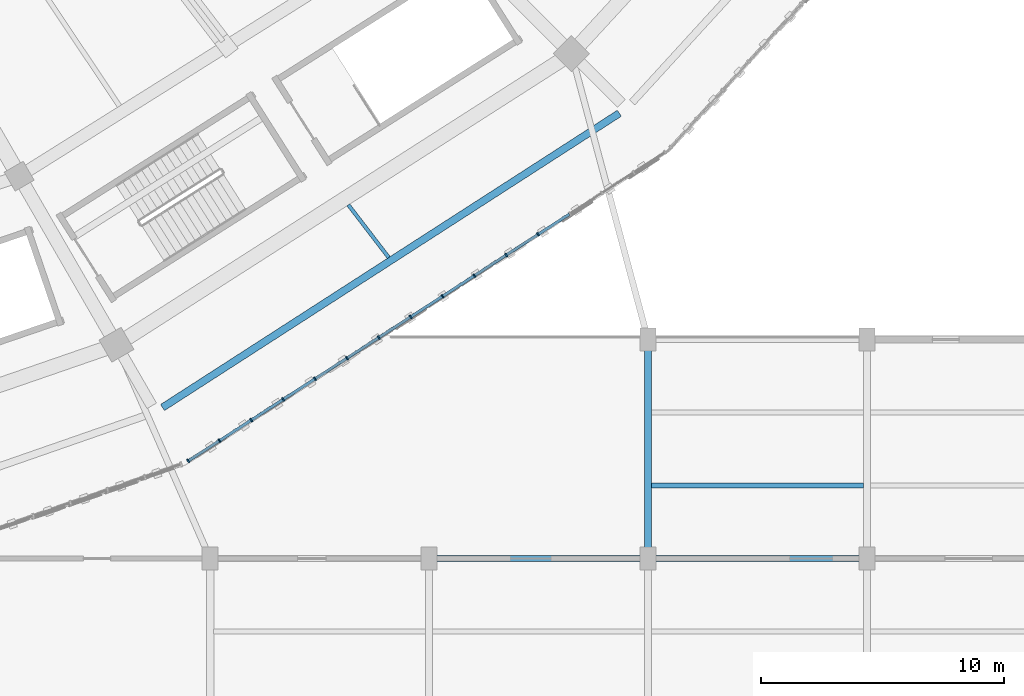
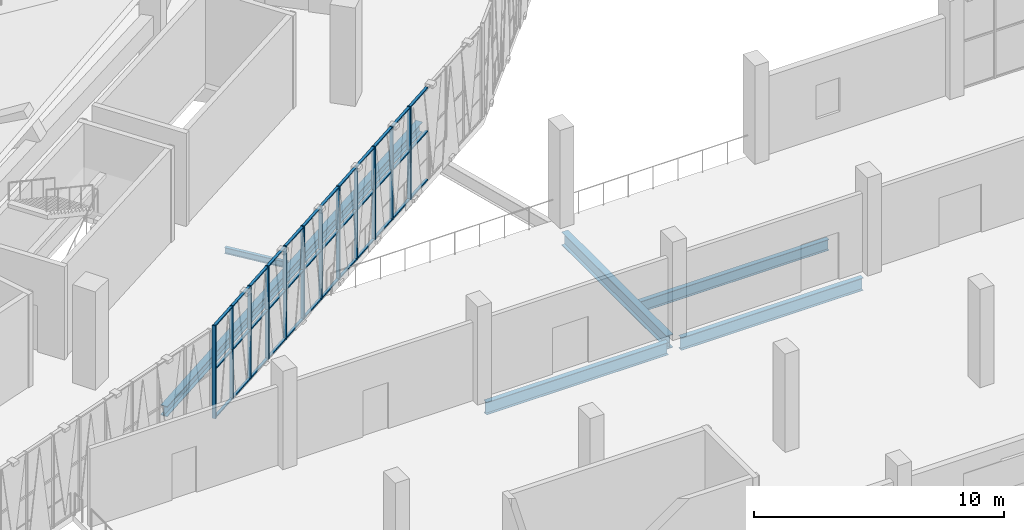
# One storey, part 28 of 152: 48 members, 6 beams, 1 element without a shape of its own.
"""IFC4 building model written with IfcOpenShell, lengths in metres."""

from ifc_helpers import new_model, si_unit, direction, frame, origin, origin_2d, place, context, subcontext, project, spatial, rectangle, i_section, extrude, material, material_profile, profile_set, type_object, element, aggregate, save


model = new_model("IFC4")

# Units and contexts
model_context = context("Model", 3, precision=1e-05, world=origin(), true_north=direction((0.0, 1.0)))
body_context = subcontext(model_context, "Body", "Model", "MODEL_VIEW")
ifc_project = project(units=[si_unit("LENGTHUNIT", "METRE"), si_unit("AREAUNIT", "SQUARE_METRE"), si_unit("VOLUMEUNIT", "CUBIC_METRE"), si_unit("PLANEANGLEUNIT", "RADIAN"), si_unit("MASSUNIT", "GRAM", prefix="KILO")], contexts=[model_context])

# Site, building, storey
site_placement = place(None, origin())
site = spatial("IfcSite", under=ifc_project, at=site_placement, CompositionType="ELEMENT")
building_placement = place(site_placement, origin())
building = spatial("IfcBuilding", under=site, at=building_placement, Name="Zevraka Park Crest Stadium", CompositionType="ELEMENT")
storey_placement = place(building_placement, frame((0.0, 0.0, 15.0)))
storey = spatial("IfcBuildingStorey", under=building, at=storey_placement, Name="L03", CompositionType="ELEMENT", Elevation=15.0)

# Beams
ifc_material_1 = material(Name="Steel S355", Category="steel")
ifc_material_profile_1 = material_profile(ifc_material_1, i_section(OverallWidth=0.300048828125, OverallDepth=0.64990234375, WebThickness=0.01611328125, FlangeThickness=0.031005859375, at=origin_2d()), Name="HEB 650")
ifc_profile_set_1 = profile_set([ifc_material_profile_1], Name="Steel S355")
beam_type_1 = type_object("IfcBeamType", Name="BG07", PredefinedType="BEAM", material=ifc_profile_set_1)
beam_1_placement = place(storey_placement, frame((179.0, 18.300048828125, -0.633056640625), z_axis=(0.0, 1.0, 0.0), x_axis=(-1.0, 0.0, 0.0)))
element("IfcBeam", 1, at=beam_1_placement, inside=storey, type_object=beam_type_1, Name="Wing Girder BG07 L03-20/CD", PredefinedType="BEAM", context=body_context, shape_type="SweptSolid", body=[
    extrude(i_section(OverallWidth=0.300048828125, OverallDepth=0.64990234375, WebThickness=0.01611328125, FlangeThickness=0.031005859375, at=origin_2d()), origin(), (0.0, 0.0, 1.0), 8.39990234375),
])
ifc_material_2 = material(Name="Steel S355", Category="steel")
ifc_material_profile_2 = material_profile(ifc_material_2, i_section(OverallWidth=0.22900390625, OverallDepth=0.612060546875, WebThickness=0.011962890625, FlangeThickness=0.01953125, at=origin_2d()), Name="UKB 610x229x125")
ifc_profile_set_2 = profile_set([ifc_material_profile_2], Name="Steel S355")
beam_type_2 = type_object("IfcBeamType", Name="BG09", PredefinedType="BEAM", material=ifc_profile_set_2)
for number, where, z_axis, x_axis, name in (
    (2, (170.300048828125, 18.0, -0.614013671875), (1.0, 0.0, 0.0), (0.0, 1.0, 0.0), "Wing Girder BG09 L03-1920/C"),
    (3, (179.300048828125, 18.0, -0.614013671875), (1.0, 0.0, 0.0), (0.0, 1.0, 0.0), "Wing Girder BG09 L03-2021/C"),
):
    element("IfcBeam", number, at=place(storey_placement, frame(where, z_axis=z_axis, x_axis=x_axis)), inside=storey, type_object=beam_type_2, Name=name, PredefinedType="BEAM", context=body_context, shape_type="SweptSolid", body=[
        extrude(i_section(OverallWidth=0.22900390625, OverallDepth=0.612060546875, WebThickness=0.011962890625, FlangeThickness=0.01953125, at=origin_2d()), origin(), (0.0, 0.0, 1.0), 8.39990234375),
    ])

# Curtain wall, members
ifc_material_3 = material(Name="Anodised architectural aluminium and laminated safety glass", Category="aluminium")
curtain_wall_type = type_object("IfcCurtainWallType", Name="CW13", PredefinedType="NOTDEFINED", material=ifc_material_3)
curtain_wall_placement = place(storey_placement, origin())
curtain_wall = element("IfcCurtainWall", 4, at=curtain_wall_placement, inside=storey, type_object=curtain_wall_type, Name="Unitised Ring Curtain Wall CW13 L03-20", PredefinedType="NOTDEFINED")
ifc_material_4 = material(Name="Anodised architectural aluminium", Category="aluminium")
ifc_material_profile_3 = material_profile(ifc_material_4, rectangle(XDim=0.159912109375, YDim=0.06005859375, at=origin_2d()), Name="ALU MULLION 160x60")
ifc_profile_set_3 = profile_set([ifc_material_profile_3], Name="Anodised architectural aluminium")
member_type_1 = type_object("IfcMemberType", Name="CM01", PredefinedType="MULLION", material=ifc_profile_set_3)
member_1_placement = place(storey_placement, frame((160.09912109375, 22.01123046875, 0.0), z_axis=(0.0, 0.0, 1.0), x_axis=(-0.543469160232, 0.839429134517, 0.0)))
member_1 = element("IfcMember", 5, at=member_1_placement, type_object=member_type_1, Name="CW13 mullion 1", PredefinedType="MULLION", context=body_context, shape_type="SweptSolid", body=[
    extrude(rectangle(XDim=0.159912109375, YDim=0.06005859375, at=origin_2d()), origin(), (0.0, 0.0, 1.0), 4.5400390625),
])
member_2_placement = place(storey_placement, frame((161.3837890625, 22.843017578125, 0.0), z_axis=(0.0, 0.0, 1.0), x_axis=(-0.543469160232, 0.839429134517, 0.0)))
member_2 = element("IfcMember", 6, at=member_2_placement, type_object=member_type_1, Name="CW13 mullion 2", PredefinedType="MULLION", context=body_context, shape_type="SweptSolid", body=[
    extrude(rectangle(XDim=0.159912109375, YDim=0.06005859375, at=origin_2d()), origin(), (0.0, 0.0, 1.0), 4.5400390625),
])
member_3_placement = place(storey_placement, frame((162.693603515625, 23.69091796875, 0.0), z_axis=(0.0, 0.0, 1.0), x_axis=(-0.543469160232, 0.839429134517, 0.0)))
member_3 = element("IfcMember", 7, at=member_3_placement, type_object=member_type_1, Name="CW13 mullion 3", PredefinedType="MULLION", context=body_context, shape_type="SweptSolid", body=[
    extrude(rectangle(XDim=0.159912109375, YDim=0.06005859375, at=origin_2d()), origin(), (0.0, 0.0, 1.0), 4.5400390625),
])
member_4_placement = place(storey_placement, frame((164.00341796875, 24.5390625, 0.0), z_axis=(0.0, 0.0, 1.0), x_axis=(-0.543469160232, 0.839429134517, 0.0)))
member_4 = element("IfcMember", 8, at=member_4_placement, type_object=member_type_1, Name="CW13 mullion 4", PredefinedType="MULLION", context=body_context, shape_type="SweptSolid", body=[
    extrude(rectangle(XDim=0.159912109375, YDim=0.06005859375, at=origin_2d()), origin(), (0.0, 0.0, 1.0), 4.5400390625),
])
member_5_placement = place(storey_placement, frame((165.313232421875, 25.386962890625, 0.0), z_axis=(0.0, 0.0, 1.0), x_axis=(-0.543469160232, 0.839429134517, 0.0)))
member_5 = element("IfcMember", 9, at=member_5_placement, type_object=member_type_1, Name="CW13 mullion 5", PredefinedType="MULLION", context=body_context, shape_type="SweptSolid", body=[
    extrude(rectangle(XDim=0.159912109375, YDim=0.06005859375, at=origin_2d()), origin(), (0.0, 0.0, 1.0), 4.5400390625),
])
member_6_placement = place(storey_placement, frame((166.623046875, 26.235107421875, 0.0), z_axis=(0.0, 0.0, 1.0), x_axis=(-0.543469160232, 0.839429134517, 0.0)))
member_6 = element("IfcMember", 10, at=member_6_placement, type_object=member_type_1, Name="CW13 mullion 6", PredefinedType="MULLION", context=body_context, shape_type="SweptSolid", body=[
    extrude(rectangle(XDim=0.159912109375, YDim=0.06005859375, at=origin_2d()), origin(), (0.0, 0.0, 1.0), 4.5400390625),
])
member_7_placement = place(storey_placement, frame((167.932861328125, 27.0830078125, 0.0), z_axis=(0.0, 0.0, 1.0), x_axis=(-0.543469160232, 0.839429134517, 0.0)))
member_7 = element("IfcMember", 11, at=member_7_placement, type_object=member_type_1, Name="CW13 mullion 7", PredefinedType="MULLION", context=body_context, shape_type="SweptSolid", body=[
    extrude(rectangle(XDim=0.159912109375, YDim=0.06005859375, at=origin_2d()), origin(), (0.0, 0.0, 1.0), 4.5400390625),
])
member_8_placement = place(storey_placement, frame((169.24267578125, 27.930908203125, 0.0), z_axis=(0.0, 0.0, 1.0), x_axis=(-0.543469160232, 0.839429134517, 0.0)))
member_8 = element("IfcMember", 12, at=member_8_placement, type_object=member_type_1, Name="CW13 mullion 8", PredefinedType="MULLION", context=body_context, shape_type="SweptSolid", body=[
    extrude(rectangle(XDim=0.159912109375, YDim=0.06005859375, at=origin_2d()), origin(), (0.0, 0.0, 1.0), 4.5400390625),
])
member_9_placement = place(storey_placement, frame((170.552490234375, 28.779052734375, 0.0), z_axis=(0.0, 0.0, 1.0), x_axis=(-0.543469160232, 0.839429134517, 0.0)))
member_9 = element("IfcMember", 13, at=member_9_placement, type_object=member_type_1, Name="CW13 mullion 9", PredefinedType="MULLION", context=body_context, shape_type="SweptSolid", body=[
    extrude(rectangle(XDim=0.159912109375, YDim=0.06005859375, at=origin_2d()), origin(), (0.0, 0.0, 1.0), 4.5400390625),
])
member_10_placement = place(storey_placement, frame((171.8623046875, 29.626953125, 0.0), z_axis=(0.0, 0.0, 1.0), x_axis=(-0.543469160232, 0.839429134517, 0.0)))
member_10 = element("IfcMember", 14, at=member_10_placement, type_object=member_type_1, Name="CW13 mullion 10", PredefinedType="MULLION", context=body_context, shape_type="SweptSolid", body=[
    extrude(rectangle(XDim=0.159912109375, YDim=0.06005859375, at=origin_2d()), origin(), (0.0, 0.0, 1.0), 4.5400390625),
])
member_11_placement = place(storey_placement, frame((173.172119140625, 30.47509765625, 0.0), z_axis=(0.0, 0.0, 1.0), x_axis=(-0.543469160232, 0.839429134517, 0.0)))
member_11 = element("IfcMember", 15, at=member_11_placement, type_object=member_type_1, Name="CW13 mullion 11", PredefinedType="MULLION", context=body_context, shape_type="SweptSolid", body=[
    extrude(rectangle(XDim=0.159912109375, YDim=0.06005859375, at=origin_2d()), origin(), (0.0, 0.0, 1.0), 4.5400390625),
])
member_12_placement = place(storey_placement, frame((174.481689453125, 31.322998046875, 0.0), z_axis=(0.0, 0.0, 1.0), x_axis=(-0.543469160232, 0.839429134517, 0.0)))
member_12 = element("IfcMember", 16, at=member_12_placement, type_object=member_type_1, Name="CW13 mullion 12", PredefinedType="MULLION", context=body_context, shape_type="SweptSolid", body=[
    extrude(rectangle(XDim=0.159912109375, YDim=0.06005859375, at=origin_2d()), origin(), (0.0, 0.0, 1.0), 4.5400390625),
])
ifc_material_5 = material(Name="Anodised architectural aluminium", Category="aluminium")
ifc_material_profile_4 = material_profile(ifc_material_5, rectangle(XDim=0.1201171875, YDim=0.06005859375, at=origin_2d()), Name="ALU TRANSOM 120x60")
ifc_profile_set_4 = profile_set([ifc_material_profile_4], Name="Anodised architectural aluminium")
member_type_2 = type_object("IfcMemberType", Name="CT01", PredefinedType="USERDEFINED", material=ifc_profile_set_4)
member_13_placement = place(storey_placement, frame((160.124267578125, 22.027587890625, 0.030029296875), z_axis=(0.839458776454, 0.543423373286, 0.0), x_axis=(-0.543423373286, 0.839458776454, 0.0)))
member_13 = element("IfcMember", 17, at=member_13_placement, type_object=member_type_2, Name="CW13 transom 1.1", ObjectType="TRANSOM", PredefinedType="USERDEFINED", context=body_context, shape_type="SweptSolid", body=[
    extrude(rectangle(XDim=0.1201171875, YDim=0.06005859375, at=origin_2d()), origin(), (0.0, 0.0, 1.0), 1.470458984375),
])
member_14_placement = place(storey_placement, frame((160.124267578125, 22.027587890625, 2.39990234375), z_axis=(0.839458776454, 0.543423373286, 0.0), x_axis=(-0.543423373286, 0.839458776454, 0.0)))
member_14 = element("IfcMember", 18, at=member_14_placement, type_object=member_type_2, Name="CW13 transom 1.2", ObjectType="TRANSOM", PredefinedType="USERDEFINED", context=body_context, shape_type="SweptSolid", body=[
    extrude(rectangle(XDim=0.1201171875, YDim=0.06005859375, at=origin_2d()), origin(), (0.0, 0.0, 1.0), 1.470458984375),
])
member_15_placement = place(storey_placement, frame((160.124267578125, 22.027587890625, 4.510009765625), z_axis=(0.839458776454, 0.543423373286, 0.0), x_axis=(-0.543423373286, 0.839458776454, 0.0)))
member_15 = element("IfcMember", 19, at=member_15_placement, type_object=member_type_2, Name="CW13 transom 1.3", ObjectType="TRANSOM", PredefinedType="USERDEFINED", context=body_context, shape_type="SweptSolid", body=[
    extrude(rectangle(XDim=0.1201171875, YDim=0.06005859375, at=origin_2d()), origin(), (0.0, 0.0, 1.0), 1.470458984375),
])
member_16_placement = place(storey_placement, frame((161.408935546875, 22.859375, 0.030029296875), z_axis=(0.839434801762, 0.543460406645, 0.0), x_axis=(-0.543460406645, 0.839434801762, 0.0)))
member_16 = element("IfcMember", 20, at=member_16_placement, type_object=member_type_2, Name="CW13 transom 2.1", ObjectType="TRANSOM", PredefinedType="USERDEFINED", context=body_context, shape_type="SweptSolid", body=[
    extrude(rectangle(XDim=0.1201171875, YDim=0.06005859375, at=origin_2d()), origin(), (0.0, 0.0, 1.0), 1.50048828125),
])
member_17_placement = place(storey_placement, frame((161.408935546875, 22.859375, 2.39990234375), z_axis=(0.839434801762, 0.543460406645, 0.0), x_axis=(-0.543460406645, 0.839434801762, 0.0)))
member_17 = element("IfcMember", 21, at=member_17_placement, type_object=member_type_2, Name="CW13 transom 2.2", ObjectType="TRANSOM", PredefinedType="USERDEFINED", context=body_context, shape_type="SweptSolid", body=[
    extrude(rectangle(XDim=0.1201171875, YDim=0.06005859375, at=origin_2d()), origin(), (0.0, 0.0, 1.0), 1.50048828125),
])
member_18_placement = place(storey_placement, frame((161.408935546875, 22.859375, 4.510009765625), z_axis=(0.839434801762, 0.543460406645, 0.0), x_axis=(-0.543460406645, 0.839434801762, 0.0)))
member_18 = element("IfcMember", 22, at=member_18_placement, type_object=member_type_2, Name="CW13 transom 2.3", ObjectType="TRANSOM", PredefinedType="USERDEFINED", context=body_context, shape_type="SweptSolid", body=[
    extrude(rectangle(XDim=0.1201171875, YDim=0.06005859375, at=origin_2d()), origin(), (0.0, 0.0, 1.0), 1.50048828125),
])
member_19_placement = place(storey_placement, frame((162.71875, 23.707275390625, 0.030029296875), z_axis=(0.839434801762, 0.543460406645, 0.0), x_axis=(-0.543460406645, 0.839434801762, 0.0)))
member_19 = element("IfcMember", 23, at=member_19_placement, type_object=member_type_2, Name="CW13 transom 3.1", ObjectType="TRANSOM", PredefinedType="USERDEFINED", context=body_context, shape_type="SweptSolid", body=[
    extrude(rectangle(XDim=0.1201171875, YDim=0.06005859375, at=origin_2d()), origin(), (0.0, 0.0, 1.0), 1.50048828125),
])
member_20_placement = place(storey_placement, frame((162.71875, 23.707275390625, 2.39990234375), z_axis=(0.839434801762, 0.543460406645, 0.0), x_axis=(-0.543460406645, 0.839434801762, 0.0)))
member_20 = element("IfcMember", 24, at=member_20_placement, type_object=member_type_2, Name="CW13 transom 3.2", ObjectType="TRANSOM", PredefinedType="USERDEFINED", context=body_context, shape_type="SweptSolid", body=[
    extrude(rectangle(XDim=0.1201171875, YDim=0.06005859375, at=origin_2d()), origin(), (0.0, 0.0, 1.0), 1.50048828125),
])
member_21_placement = place(storey_placement, frame((162.71875, 23.707275390625, 4.510009765625), z_axis=(0.839434801762, 0.543460406645, 0.0), x_axis=(-0.543460406645, 0.839434801762, 0.0)))
member_21 = element("IfcMember", 25, at=member_21_placement, type_object=member_type_2, Name="CW13 transom 3.3", ObjectType="TRANSOM", PredefinedType="USERDEFINED", context=body_context, shape_type="SweptSolid", body=[
    extrude(rectangle(XDim=0.1201171875, YDim=0.06005859375, at=origin_2d()), origin(), (0.0, 0.0, 1.0), 1.50048828125),
])
member_22_placement = place(storey_placement, frame((164.028564453125, 24.555419921875, 0.030029296875), z_axis=(0.839509029958, 0.543345735807, 0.0), x_axis=(-0.543345735807, 0.839509029958, 0.0)))
member_22 = element("IfcMember", 26, at=member_22_placement, type_object=member_type_2, Name="CW13 transom 4.1", ObjectType="TRANSOM", PredefinedType="USERDEFINED", context=body_context, shape_type="SweptSolid", body=[
    extrude(rectangle(XDim=0.1201171875, YDim=0.06005859375, at=origin_2d()), origin(), (0.0, 0.0, 1.0), 1.500244140625),
])
member_23_placement = place(storey_placement, frame((164.028564453125, 24.555419921875, 2.39990234375), z_axis=(0.839509029958, 0.543345735807, 0.0), x_axis=(-0.543345735807, 0.839509029958, 0.0)))
member_23 = element("IfcMember", 27, at=member_23_placement, type_object=member_type_2, Name="CW13 transom 4.2", ObjectType="TRANSOM", PredefinedType="USERDEFINED", context=body_context, shape_type="SweptSolid", body=[
    extrude(rectangle(XDim=0.1201171875, YDim=0.06005859375, at=origin_2d()), origin(), (0.0, 0.0, 1.0), 1.500244140625),
])
member_24_placement = place(storey_placement, frame((164.028564453125, 24.555419921875, 4.510009765625), z_axis=(0.839509029958, 0.543345735807, 0.0), x_axis=(-0.543345735807, 0.839509029958, 0.0)))
member_24 = element("IfcMember", 28, at=member_24_placement, type_object=member_type_2, Name="CW13 transom 4.3", ObjectType="TRANSOM", PredefinedType="USERDEFINED", context=body_context, shape_type="SweptSolid", body=[
    extrude(rectangle(XDim=0.1201171875, YDim=0.06005859375, at=origin_2d()), origin(), (0.0, 0.0, 1.0), 1.500244140625),
])
member_25_placement = place(storey_placement, frame((165.33837890625, 25.4033203125, 0.030029296875), z_axis=(0.839434801762, 0.543460406645, 0.0), x_axis=(-0.543460406645, 0.839434801762, 0.0)))
member_25 = element("IfcMember", 29, at=member_25_placement, type_object=member_type_2, Name="CW13 transom 5.1", ObjectType="TRANSOM", PredefinedType="USERDEFINED", context=body_context, shape_type="SweptSolid", body=[
    extrude(rectangle(XDim=0.1201171875, YDim=0.06005859375, at=origin_2d()), origin(), (0.0, 0.0, 1.0), 1.50048828125),
])
member_26_placement = place(storey_placement, frame((165.33837890625, 25.4033203125, 2.39990234375), z_axis=(0.839434801762, 0.543460406645, 0.0), x_axis=(-0.543460406645, 0.839434801762, 0.0)))
member_26 = element("IfcMember", 30, at=member_26_placement, type_object=member_type_2, Name="CW13 transom 5.2", ObjectType="TRANSOM", PredefinedType="USERDEFINED", context=body_context, shape_type="SweptSolid", body=[
    extrude(rectangle(XDim=0.1201171875, YDim=0.06005859375, at=origin_2d()), origin(), (0.0, 0.0, 1.0), 1.50048828125),
])
member_27_placement = place(storey_placement, frame((165.33837890625, 25.4033203125, 4.510009765625), z_axis=(0.839434801762, 0.543460406645, 0.0), x_axis=(-0.543460406645, 0.839434801762, 0.0)))
member_27 = element("IfcMember", 31, at=member_27_placement, type_object=member_type_2, Name="CW13 transom 5.3", ObjectType="TRANSOM", PredefinedType="USERDEFINED", context=body_context, shape_type="SweptSolid", body=[
    extrude(rectangle(XDim=0.1201171875, YDim=0.06005859375, at=origin_2d()), origin(), (0.0, 0.0, 1.0), 1.50048828125),
])
member_28_placement = place(storey_placement, frame((166.648193359375, 26.251220703125, 0.030029296875), z_axis=(0.839434801762, 0.543460406645, 0.0), x_axis=(-0.543460406645, 0.839434801762, 0.0)))
member_28 = element("IfcMember", 32, at=member_28_placement, type_object=member_type_2, Name="CW13 transom 6.1", ObjectType="TRANSOM", PredefinedType="USERDEFINED", context=body_context, shape_type="SweptSolid", body=[
    extrude(rectangle(XDim=0.1201171875, YDim=0.06005859375, at=origin_2d()), origin(), (0.0, 0.0, 1.0), 1.50048828125),
])
member_29_placement = place(storey_placement, frame((166.648193359375, 26.251220703125, 2.39990234375), z_axis=(0.839434801762, 0.543460406645, 0.0), x_axis=(-0.543460406645, 0.839434801762, 0.0)))
member_29 = element("IfcMember", 33, at=member_29_placement, type_object=member_type_2, Name="CW13 transom 6.2", ObjectType="TRANSOM", PredefinedType="USERDEFINED", context=body_context, shape_type="SweptSolid", body=[
    extrude(rectangle(XDim=0.1201171875, YDim=0.06005859375, at=origin_2d()), origin(), (0.0, 0.0, 1.0), 1.50048828125),
])
member_30_placement = place(storey_placement, frame((166.648193359375, 26.251220703125, 4.510009765625), z_axis=(0.839434801762, 0.543460406645, 0.0), x_axis=(-0.543460406645, 0.839434801762, 0.0)))
member_30 = element("IfcMember", 34, at=member_30_placement, type_object=member_type_2, Name="CW13 transom 6.3", ObjectType="TRANSOM", PredefinedType="USERDEFINED", context=body_context, shape_type="SweptSolid", body=[
    extrude(rectangle(XDim=0.1201171875, YDim=0.06005859375, at=origin_2d()), origin(), (0.0, 0.0, 1.0), 1.50048828125),
])
member_31_placement = place(storey_placement, frame((167.9580078125, 27.099365234375, 0.030029296875), z_axis=(0.839434801762, 0.543460406645, 0.0), x_axis=(-0.543460406645, 0.839434801762, 0.0)))
member_31 = element("IfcMember", 35, at=member_31_placement, type_object=member_type_2, Name="CW13 transom 7.1", ObjectType="TRANSOM", PredefinedType="USERDEFINED", context=body_context, shape_type="SweptSolid", body=[
    extrude(rectangle(XDim=0.1201171875, YDim=0.06005859375, at=origin_2d()), origin(), (0.0, 0.0, 1.0), 1.50048828125),
])
member_32_placement = place(storey_placement, frame((167.9580078125, 27.099365234375, 2.39990234375), z_axis=(0.839434801762, 0.543460406645, 0.0), x_axis=(-0.543460406645, 0.839434801762, 0.0)))
member_32 = element("IfcMember", 36, at=member_32_placement, type_object=member_type_2, Name="CW13 transom 7.2", ObjectType="TRANSOM", PredefinedType="USERDEFINED", context=body_context, shape_type="SweptSolid", body=[
    extrude(rectangle(XDim=0.1201171875, YDim=0.06005859375, at=origin_2d()), origin(), (0.0, 0.0, 1.0), 1.50048828125),
])
member_33_placement = place(storey_placement, frame((167.9580078125, 27.099365234375, 4.510009765625), z_axis=(0.839434801762, 0.543460406645, 0.0), x_axis=(-0.543460406645, 0.839434801762, 0.0)))
member_33 = element("IfcMember", 37, at=member_33_placement, type_object=member_type_2, Name="CW13 transom 7.3", ObjectType="TRANSOM", PredefinedType="USERDEFINED", context=body_context, shape_type="SweptSolid", body=[
    extrude(rectangle(XDim=0.1201171875, YDim=0.06005859375, at=origin_2d()), origin(), (0.0, 0.0, 1.0), 1.50048828125),
])
member_34_placement = place(storey_placement, frame((169.267822265625, 27.947265625, 0.030029296875), z_axis=(0.839386734847, 0.543534644124, 0.0), x_axis=(-0.543534644124, 0.839386734847, 0.0)))
member_34 = element("IfcMember", 38, at=member_34_placement, type_object=member_type_2, Name="CW13 transom 8.1", ObjectType="TRANSOM", PredefinedType="USERDEFINED", context=body_context, shape_type="SweptSolid", body=[
    extrude(rectangle(XDim=0.1201171875, YDim=0.06005859375, at=origin_2d()), origin(), (0.0, 0.0, 1.0), 1.500244140625),
])
member_35_placement = place(storey_placement, frame((169.267822265625, 27.947265625, 2.39990234375), z_axis=(0.839386734847, 0.543534644124, 0.0), x_axis=(-0.543534644124, 0.839386734847, 0.0)))
member_35 = element("IfcMember", 39, at=member_35_placement, type_object=member_type_2, Name="CW13 transom 8.2", ObjectType="TRANSOM", PredefinedType="USERDEFINED", context=body_context, shape_type="SweptSolid", body=[
    extrude(rectangle(XDim=0.1201171875, YDim=0.06005859375, at=origin_2d()), origin(), (0.0, 0.0, 1.0), 1.500244140625),
])
member_36_placement = place(storey_placement, frame((169.267822265625, 27.947265625, 4.510009765625), z_axis=(0.839386734847, 0.543534644124, 0.0), x_axis=(-0.543534644124, 0.839386734847, 0.0)))
member_36 = element("IfcMember", 40, at=member_36_placement, type_object=member_type_2, Name="CW13 transom 8.3", ObjectType="TRANSOM", PredefinedType="USERDEFINED", context=body_context, shape_type="SweptSolid", body=[
    extrude(rectangle(XDim=0.1201171875, YDim=0.06005859375, at=origin_2d()), origin(), (0.0, 0.0, 1.0), 1.500244140625),
])
member_37_placement = place(storey_placement, frame((170.57763671875, 28.79541015625, 0.030029296875), z_axis=(0.839460979075, 0.543419970751, 0.0), x_axis=(-0.543419970751, 0.839460979075, 0.0)))
member_37 = element("IfcMember", 41, at=member_37_placement, type_object=member_type_2, Name="CW13 transom 9.1", ObjectType="TRANSOM", PredefinedType="USERDEFINED", context=body_context, shape_type="SweptSolid", body=[
    extrude(rectangle(XDim=0.1201171875, YDim=0.06005859375, at=origin_2d()), origin(), (0.0, 0.0, 1.0), 1.5),
])
member_38_placement = place(storey_placement, frame((170.57763671875, 28.79541015625, 2.39990234375), z_axis=(0.839460979075, 0.543419970751, 0.0), x_axis=(-0.543419970751, 0.839460979075, 0.0)))
member_38 = element("IfcMember", 42, at=member_38_placement, type_object=member_type_2, Name="CW13 transom 9.2", ObjectType="TRANSOM", PredefinedType="USERDEFINED", context=body_context, shape_type="SweptSolid", body=[
    extrude(rectangle(XDim=0.1201171875, YDim=0.06005859375, at=origin_2d()), origin(), (0.0, 0.0, 1.0), 1.5),
])
member_39_placement = place(storey_placement, frame((170.57763671875, 28.79541015625, 4.510009765625), z_axis=(0.839460979075, 0.543419970751, 0.0), x_axis=(-0.543419970751, 0.839460979075, 0.0)))
member_39 = element("IfcMember", 43, at=member_39_placement, type_object=member_type_2, Name="CW13 transom 9.3", ObjectType="TRANSOM", PredefinedType="USERDEFINED", context=body_context, shape_type="SweptSolid", body=[
    extrude(rectangle(XDim=0.1201171875, YDim=0.06005859375, at=origin_2d()), origin(), (0.0, 0.0, 1.0), 1.5),
])
member_40_placement = place(storey_placement, frame((171.887451171875, 29.643310546875, 0.030029296875), z_axis=(0.839386734847, 0.543534644124, 0.0), x_axis=(-0.543534644124, 0.839386734847, 0.0)))
member_40 = element("IfcMember", 44, at=member_40_placement, type_object=member_type_2, Name="CW13 transom 10.1", ObjectType="TRANSOM", PredefinedType="USERDEFINED", context=body_context, shape_type="SweptSolid", body=[
    extrude(rectangle(XDim=0.1201171875, YDim=0.06005859375, at=origin_2d()), origin(), (0.0, 0.0, 1.0), 1.500244140625),
])
member_41_placement = place(storey_placement, frame((171.887451171875, 29.643310546875, 2.39990234375), z_axis=(0.839386734847, 0.543534644124, 0.0), x_axis=(-0.543534644124, 0.839386734847, 0.0)))
member_41 = element("IfcMember", 45, at=member_41_placement, type_object=member_type_2, Name="CW13 transom 10.2", ObjectType="TRANSOM", PredefinedType="USERDEFINED", context=body_context, shape_type="SweptSolid", body=[
    extrude(rectangle(XDim=0.1201171875, YDim=0.06005859375, at=origin_2d()), origin(), (0.0, 0.0, 1.0), 1.500244140625),
])
member_42_placement = place(storey_placement, frame((171.887451171875, 29.643310546875, 4.510009765625), z_axis=(0.839386734847, 0.543534644124, 0.0), x_axis=(-0.543534644124, 0.839386734847, 0.0)))
member_42 = element("IfcMember", 46, at=member_42_placement, type_object=member_type_2, Name="CW13 transom 10.3", ObjectType="TRANSOM", PredefinedType="USERDEFINED", context=body_context, shape_type="SweptSolid", body=[
    extrude(rectangle(XDim=0.1201171875, YDim=0.06005859375, at=origin_2d()), origin(), (0.0, 0.0, 1.0), 1.500244140625),
])
member_43_placement = place(storey_placement, frame((173.197265625, 30.4912109375, 0.030029296875), z_axis=(0.839386734847, 0.543534644124, 0.0), x_axis=(-0.543534644124, 0.839386734847, 0.0)))
member_43 = element("IfcMember", 47, at=member_43_placement, type_object=member_type_2, Name="CW13 transom 11.1", ObjectType="TRANSOM", PredefinedType="USERDEFINED", context=body_context, shape_type="SweptSolid", body=[
    extrude(rectangle(XDim=0.1201171875, YDim=0.06005859375, at=origin_2d()), origin(), (0.0, 0.0, 1.0), 1.500244140625),
])
member_44_placement = place(storey_placement, frame((173.197265625, 30.4912109375, 2.39990234375), z_axis=(0.839386734847, 0.543534644124, 0.0), x_axis=(-0.543534644124, 0.839386734847, 0.0)))
member_44 = element("IfcMember", 48, at=member_44_placement, type_object=member_type_2, Name="CW13 transom 11.2", ObjectType="TRANSOM", PredefinedType="USERDEFINED", context=body_context, shape_type="SweptSolid", body=[
    extrude(rectangle(XDim=0.1201171875, YDim=0.06005859375, at=origin_2d()), origin(), (0.0, 0.0, 1.0), 1.500244140625),
])
member_45_placement = place(storey_placement, frame((173.197265625, 30.4912109375, 4.510009765625), z_axis=(0.839386734847, 0.543534644124, 0.0), x_axis=(-0.543534644124, 0.839386734847, 0.0)))
member_45 = element("IfcMember", 49, at=member_45_placement, type_object=member_type_2, Name="CW13 transom 11.3", ObjectType="TRANSOM", PredefinedType="USERDEFINED", context=body_context, shape_type="SweptSolid", body=[
    extrude(rectangle(XDim=0.1201171875, YDim=0.06005859375, at=origin_2d()), origin(), (0.0, 0.0, 1.0), 1.500244140625),
])
member_46_placement = place(storey_placement, frame((174.507080078125, 31.33935546875, 0.030029296875), z_axis=(0.839386734847, 0.543534644124, 0.0), x_axis=(-0.543534644124, 0.839386734847, 0.0)))
member_46 = element("IfcMember", 50, at=member_46_placement, type_object=member_type_2, Name="CW13 transom 12.1", ObjectType="TRANSOM", PredefinedType="USERDEFINED", context=body_context, shape_type="SweptSolid", body=[
    extrude(rectangle(XDim=0.1201171875, YDim=0.06005859375, at=origin_2d()), origin(), (0.0, 0.0, 1.0), 1.500244140625),
])
member_47_placement = place(storey_placement, frame((174.507080078125, 31.33935546875, 2.39990234375), z_axis=(0.839386734847, 0.543534644124, 0.0), x_axis=(-0.543534644124, 0.839386734847, 0.0)))
member_47 = element("IfcMember", 51, at=member_47_placement, type_object=member_type_2, Name="CW13 transom 12.2", ObjectType="TRANSOM", PredefinedType="USERDEFINED", context=body_context, shape_type="SweptSolid", body=[
    extrude(rectangle(XDim=0.1201171875, YDim=0.06005859375, at=origin_2d()), origin(), (0.0, 0.0, 1.0), 1.500244140625),
])
member_48_placement = place(storey_placement, frame((174.507080078125, 31.33935546875, 4.510009765625), z_axis=(0.839386734847, 0.543534644124, 0.0), x_axis=(-0.543534644124, 0.839386734847, 0.0)))
member_48 = element("IfcMember", 52, at=member_48_placement, type_object=member_type_2, Name="CW13 transom 12.3", ObjectType="TRANSOM", PredefinedType="USERDEFINED", context=body_context, shape_type="SweptSolid", body=[
    extrude(rectangle(XDim=0.1201171875, YDim=0.06005859375, at=origin_2d()), origin(), (0.0, 0.0, 1.0), 1.500244140625),
])
aggregate(curtain_wall, [member_1, member_2, member_3, member_4, member_5, member_6, member_7, member_8, member_9, member_10, member_11, member_12, member_13, member_14, member_15, member_16, member_17, member_18, member_19, member_20, member_21, member_22, member_23, member_24, member_25, member_26, member_27, member_28, member_29, member_30, member_31, member_32, member_33, member_34, member_35, member_36, member_37, member_38, member_39, member_40, member_41, member_42, member_43, member_44, member_45, member_46, member_47, member_48])

# Beams
ifc_material_6 = material(Name="Steel S355", Category="steel")
ifc_material_profile_5 = material_profile(ifc_material_6, i_section(OverallWidth=0.300048828125, OverallDepth=0.5, WebThickness=0.014404296875, FlangeThickness=0.028076171875, at=origin_2d()), Name="HEB 500")
ifc_profile_set_5 = profile_set([ifc_material_profile_5], Name="Steel S355")
beam_type_3 = type_object("IfcBeamType", Name="RB05", PredefinedType="BEAM", material=ifc_profile_set_5)
beam_2_placement = place(storey_placement, frame((159.0439453125, 24.20703125, -0.60498046875), z_axis=(0.840676981124, 0.541536899396, 0.0), x_axis=(-0.541536899396, 0.840676981124, 0.0)))
element("IfcBeam", 53, at=beam_2_placement, inside=storey, type_object=beam_type_3, Name="Ring Beam RB05 L03-E-20", PredefinedType="BEAM", context=body_context, shape_type="SweptSolid", body=[
    extrude(i_section(OverallWidth=0.300048828125, OverallDepth=0.5, WebThickness=0.014404296875, FlangeThickness=0.028076171875, at=origin_2d()), origin(), (0.0, 0.0, 1.0), 22.33447265625),
])
ifc_material_7 = material(Name="Steel S355", Category="steel")
ifc_material_profile_6 = material_profile(ifc_material_7, i_section(OverallWidth=0.14990234375, OverallDepth=0.300048828125, WebThickness=0.007080078125, FlangeThickness=0.0107421875, at=origin_2d()), Name="IPE 300")
ifc_profile_set_6 = profile_set([ifc_material_profile_6], Name="Steel S355")
beam_type_4 = type_object("IfcBeamType", Name="SJ01", PredefinedType="JOIST", material=ifc_profile_set_6)
beam_3_placement = place(storey_placement, frame((166.680908203125, 32.537109375, -0.4580078125), z_axis=(0.608829249804, -0.793301294959, 0.0), x_axis=(0.793301294959, 0.608829249804, 0.0)))
element("IfcBeam", 54, at=beam_3_placement, inside=storey, type_object=beam_type_4, Name="Floor Joist SJ01 L03-DE-20-1", PredefinedType="JOIST", context=body_context, shape_type="SweptSolid", body=[
    extrude(i_section(OverallWidth=0.14990234375, OverallDepth=0.300048828125, WebThickness=0.007080078125, FlangeThickness=0.0107421875, at=origin_2d()), origin(), (0.0, 0.0, 1.0), 2.731689453125),
])
ifc_material_8 = material(Name="Steel S355", Category="steel")
ifc_material_profile_7 = material_profile(ifc_material_8, i_section(OverallWidth=0.209228515625, OverallDepth=0.533203125, WebThickness=0.010009765625, FlangeThickness=0.015625, at=origin_2d()), Name="UKB 533x210x92")
ifc_profile_set_7 = profile_set([ifc_material_profile_7], Name="Steel S355")
beam_type_5 = type_object("IfcBeamType", Name="SJ05", PredefinedType="JOIST", material=ifc_profile_set_7)
beam_4_placement = place(storey_placement, frame((179.14501953125, 21.0, -0.57666015625), z_axis=(1.0, 0.0, 0.0), x_axis=(0.0, 1.0, 0.0)))
element("IfcBeam", 55, at=beam_4_placement, inside=storey, type_object=beam_type_5, Name="Wing Joist SJ05 L03-20/C-1", PredefinedType="JOIST", context=body_context, shape_type="SweptSolid", body=[
    extrude(i_section(OverallWidth=0.209228515625, OverallDepth=0.533203125, WebThickness=0.010009765625, FlangeThickness=0.015625, at=origin_2d()), origin(), (0.0, 0.0, 1.0), 8.7099609375),
])

save(model, "model.ifc")
